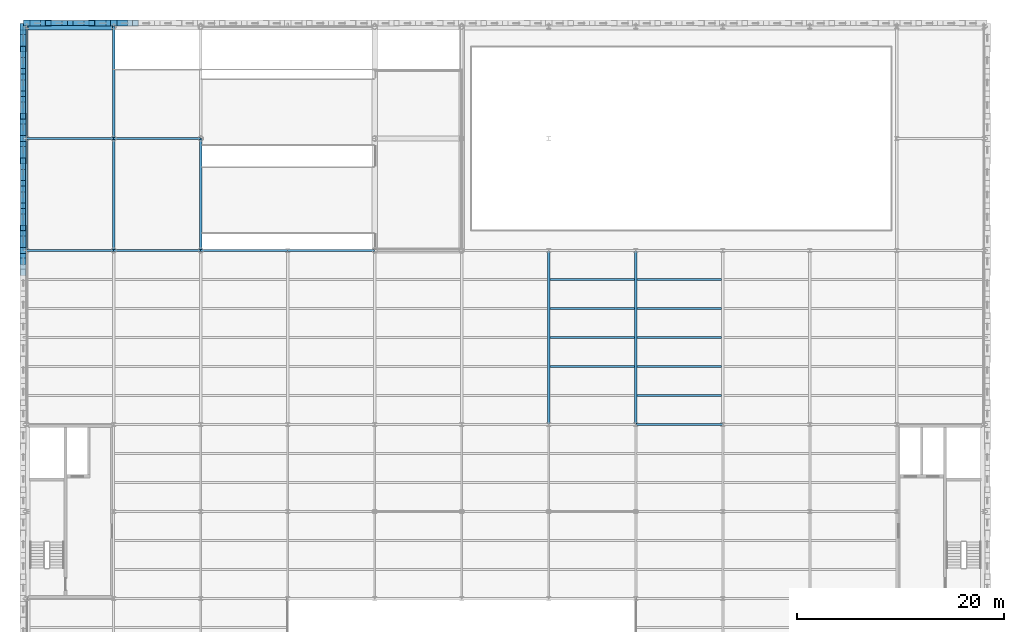
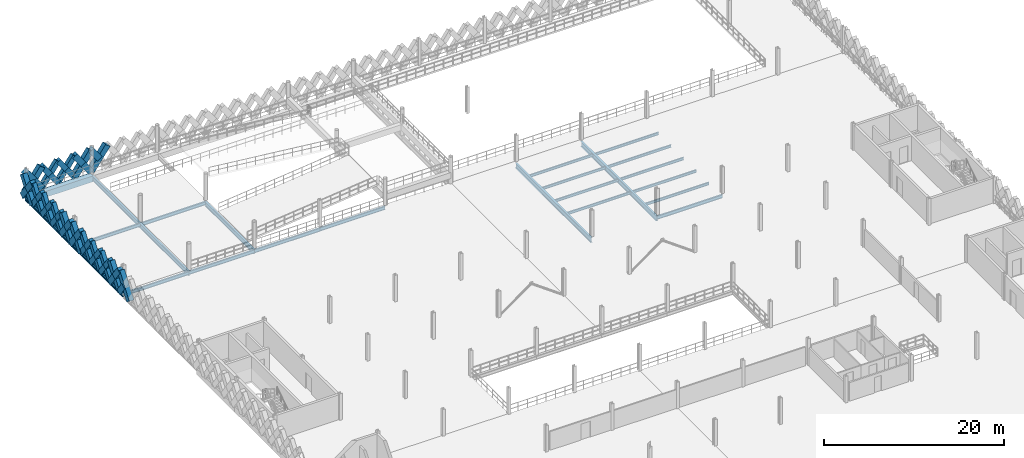
# One storey, part 24 of 62: 48 members, 24 beams.
"""IFC4 building model written with IfcOpenShell, lengths in metres."""

from ifc_helpers import new_model, si_unit, direction, frame, origin, origin_2d, place, context, subcontext, project, spatial, rectangle, hollow_rectangle, i_section, extrude, material, material_profile, profile_set, type_object, element, save


model = new_model("IFC4")

# Units and contexts
model_context = context("Model", 3, precision=1e-05, world=origin(), true_north=direction((0.0, 1.0)))
body_context = subcontext(model_context, "Body", "Model", "MODEL_VIEW")
ifc_project = project(units=[si_unit("LENGTHUNIT", "METRE"), si_unit("AREAUNIT", "SQUARE_METRE"), si_unit("VOLUMEUNIT", "CUBIC_METRE"), si_unit("PLANEANGLEUNIT", "RADIAN"), si_unit("MASSUNIT", "GRAM", prefix="KILO"), si_unit("THERMODYNAMICTEMPERATUREUNIT", "KELVIN"), si_unit("POWERUNIT", "WATT")], contexts=[model_context])

# Site, building, storey
site_placement = place(None, origin())
site = spatial("IfcSite", under=ifc_project, at=site_placement, CompositionType="ELEMENT")
building_placement = place(site_placement, origin())
building = spatial("IfcBuilding", under=site, at=building_placement, Name="Tembeka Court Mobility Hub", CompositionType="ELEMENT")
storey_placement = place(building_placement, frame((0.0, 0.0, 16.199951171875)))
storey = spatial("IfcBuildingStorey", under=building, at=storey_placement, Name="L04", CompositionType="ELEMENT", Elevation=16.199951171875)

# Beams
ifc_material_1 = material(Name="Steel S355", Category="steel")
ifc_material_profile_1 = material_profile(ifc_material_1, i_section(OverallWidth=0.18994140625, OverallDepth=0.45703125, WebThickness=0.009033203125, FlangeThickness=0.014404296875, FilletRadius=0.01025390625, at=origin_2d()), Name="UKB 457x191x74")
ifc_profile_set_1 = profile_set([ifc_material_profile_1], Name="Steel S355")
beam_type_1 = type_object("IfcBeamType", Name="BM-B01", PredefinedType="BEAM", material=ifc_profile_set_1)
for number, where, z_axis, x_axis, name in (
    (1, (58.800048828125, 80.39990234375, -0.448486328125), (1.0, 0.0, 0.0), (0.0, 1.0, 0.0), "Beam B01 (BM-L04-X2285)"),
    (2, (0.0, 97.199951171875, -0.478515625), (1.0, 0.0, 0.0), (0.0, 1.0, 0.0), "Beam B01 (BM-L04-X2289)"),
):
    element("IfcBeam", number, at=place(storey_placement, frame(where, z_axis=z_axis, x_axis=x_axis)), inside=storey, type_object=beam_type_1, Name=name, PredefinedType="BEAM", context=body_context, shape_type="SweptSolid", body=[
        extrude(i_section(OverallWidth=0.18994140625, OverallDepth=0.45703125, WebThickness=0.009033203125, FlangeThickness=0.014404296875, FilletRadius=0.01025390625, at=origin_2d()), origin(), (0.0, 0.0, 1.0), 8.39990234375),
    ])
beam_1_placement = place(storey_placement, frame((8.39990234375, 97.199951171875, -0.478515625), z_axis=(1.0, 0.0, 0.0), x_axis=(0.0, 1.0, 0.0)))
element("IfcBeam", 3, at=beam_1_placement, inside=storey, type_object=beam_type_1, Name="Beam B01 (BM-L04-X2290)", PredefinedType="BEAM", context=body_context, shape_type="SweptSolid", body=[
    extrude(i_section(OverallWidth=0.18994140625, OverallDepth=0.45703125, WebThickness=0.009033203125, FlangeThickness=0.014404296875, FilletRadius=0.01025390625, at=origin_2d()), origin(), (0.0, 0.0, 1.0), 8.400146484375),
])
beam_2_placement = place(storey_placement, frame((16.800048828125, 97.199951171875, -0.478515625), z_axis=(1.0, 0.0, 0.0), x_axis=(0.0, 1.0, 0.0)))
element("IfcBeam", 4, at=beam_2_placement, inside=storey, type_object=beam_type_1, Name="Beam B01 (BM-L04-X2291)", PredefinedType="BEAM", context=body_context, shape_type="SweptSolid", body=[
    extrude(i_section(OverallWidth=0.18994140625, OverallDepth=0.45703125, WebThickness=0.009033203125, FlangeThickness=0.014404296875, FilletRadius=0.01025390625, at=origin_2d()), origin(), (0.0, 0.0, 1.0), 8.39990234375),
])
beam_3_placement = place(storey_placement, frame((25.199951171875, 97.199951171875, -0.448486328125), z_axis=(1.0, 0.0, 0.0), x_axis=(0.0, 1.0, 0.0)))
element("IfcBeam", 5, at=beam_3_placement, inside=storey, type_object=beam_type_1, Name="Beam B01 (BM-L04-X2292)", PredefinedType="BEAM", context=body_context, shape_type="SweptSolid", body=[
    extrude(i_section(OverallWidth=0.18994140625, OverallDepth=0.45703125, WebThickness=0.009033203125, FlangeThickness=0.014404296875, FilletRadius=0.01025390625, at=origin_2d()), origin(), (0.0, 0.0, 1.0), 8.400146484375),
])
beam_4_placement = place(storey_placement, frame((0.0, 108.0, -0.478515625), z_axis=(1.0, 0.0, 0.0), x_axis=(0.0, 1.0, 0.0)))
element("IfcBeam", 6, at=beam_4_placement, inside=storey, type_object=beam_type_1, Name="Beam B01 (BM-L04-X2300)", PredefinedType="BEAM", context=body_context, shape_type="SweptSolid", body=[
    extrude(i_section(OverallWidth=0.18994140625, OverallDepth=0.45703125, WebThickness=0.009033203125, FlangeThickness=0.014404296875, FilletRadius=0.01025390625, at=origin_2d()), origin(), (0.0, 0.0, 1.0), 8.39990234375),
])
beam_5_placement = place(storey_placement, frame((8.39990234375, 108.0, -0.478515625), z_axis=(1.0, 0.0, 0.0), x_axis=(0.0, 1.0, 0.0)))
element("IfcBeam", 7, at=beam_5_placement, inside=storey, type_object=beam_type_1, Name="Beam B01 (BM-L04-X2301)", PredefinedType="BEAM", context=body_context, shape_type="SweptSolid", body=[
    extrude(i_section(OverallWidth=0.18994140625, OverallDepth=0.45703125, WebThickness=0.009033203125, FlangeThickness=0.014404296875, FilletRadius=0.01025390625, at=origin_2d()), origin(), (0.0, 0.0, 1.0), 8.400146484375),
])
ifc_material_profile_2 = material_profile(ifc_material_1, i_section(OverallWidth=0.25390625, OverallDepth=0.68408203125, WebThickness=0.012451171875, FlangeThickness=0.01904296875, FilletRadius=0.01513671875, at=origin_2d()), Name="UKB 686x254x140")
ifc_profile_set_2 = profile_set([ifc_material_profile_2], Name="Steel S355")
beam_type_2 = type_object("IfcBeamType", Name="BM-G01", PredefinedType="USERDEFINED", material=ifc_profile_set_2)
for number, where, z_axis, x_axis, name in (
    (8, (50.39990234375, 80.39990234375, -0.56201171875), (0.0, 1.0, 0.0), (-1.0, 0.0, 0.0), "Beam G01 (BM-L04-Y2374)"),
    (9, (58.800048828125, 80.39990234375, -0.56201171875), (0.0, 1.0, 0.0), (-1.0, 0.0, 0.0), "Beam G01 (BM-L04-Y2381)"),
):
    element("IfcBeam", number, at=place(storey_placement, frame(where, z_axis=z_axis, x_axis=x_axis)), inside=storey, type_object=beam_type_2, Name=name, ObjectType="GIRDER", PredefinedType="USERDEFINED", context=body_context, shape_type="SweptSolid", body=[
        extrude(i_section(OverallWidth=0.25390625, OverallDepth=0.68408203125, WebThickness=0.012451171875, FlangeThickness=0.01904296875, FilletRadius=0.01513671875, at=origin_2d()), origin(), (0.0, 0.0, 1.0), 16.800048828125),
    ])
ifc_material_profile_3 = material_profile(ifc_material_1, i_section(OverallWidth=0.22900390625, OverallDepth=0.612060546875, WebThickness=0.011962890625, FlangeThickness=0.01953125, FilletRadius=0.0126953125, at=origin_2d()), Name="UKB 610x229x125")
ifc_profile_set_3 = profile_set([ifc_material_profile_3], Name="Steel S355")
beam_type_3 = type_object("IfcBeamType", Name="BM-G02", PredefinedType="USERDEFINED", material=ifc_profile_set_3)
for number, where, z_axis, x_axis, name in (
    (10, (0.0, 97.199951171875, -0.52587890625), (0.0, 1.0, 0.0), (-1.0, 0.0, 0.0), "Beam G02 (BM-L04-Y2322)"),
    (11, (0.0, 108.0, -0.52587890625), (0.0, 1.0, 0.0), (-1.0, 0.0, 0.0), "Beam G02 (BM-L04-Y2323)"),
    (12, (8.39990234375, 97.199951171875, -0.555908203125), (0.0, 1.0, 0.0), (-1.0, 0.0, 0.0), "Beam G02 (BM-L04-Y2333)"),
    (13, (8.39990234375, 108.0, -0.555908203125), (0.0, 1.0, 0.0), (-1.0, 0.0, 0.0), "Beam G02 (BM-L04-Y2334)"),
    (14, (16.800048828125, 97.199951171875, -0.555908203125), (0.0, 1.0, 0.0), (-1.0, 0.0, 0.0), "Beam G02 (BM-L04-Y2344)"),
):
    element("IfcBeam", number, at=place(storey_placement, frame(where, z_axis=z_axis, x_axis=x_axis)), inside=storey, type_object=beam_type_3, Name=name, ObjectType="GIRDER", PredefinedType="USERDEFINED", context=body_context, shape_type="SweptSolid", body=[
        extrude(i_section(OverallWidth=0.22900390625, OverallDepth=0.612060546875, WebThickness=0.011962890625, FlangeThickness=0.01953125, FilletRadius=0.0126953125, at=origin_2d()), origin(), (0.0, 0.0, 1.0), 10.800048828125),
    ])
ifc_material_profile_4 = material_profile(ifc_material_1, i_section(OverallWidth=0.172119140625, OverallDepth=0.35498046875, WebThickness=0.00732421875, FlangeThickness=0.011474609375, FilletRadius=0.01025390625, at=origin_2d()), Name="UKB 356x171x51")
ifc_profile_set_4 = profile_set([ifc_material_profile_4], Name="Steel S355")
beam_type_4 = type_object("IfcBeamType", Name="BM-J01", PredefinedType="JOIST", material=ifc_profile_set_4)
for number, where, z_axis, x_axis, name in (
    (15, (50.52197265625, 86.0, -0.3974609375), (1.0, 0.0, 0.0), (0.0, 1.0, 0.0), "Beam J01 (JST-L04-2558)"),
    (16, (50.52197265625, 88.800048828125, -0.3974609375), (1.0, 0.0, 0.0), (0.0, 1.0, 0.0), "Beam J01 (JST-L04-2559)"),
    (17, (50.52197265625, 91.60009765625, -0.3974609375), (1.0, 0.0, 0.0), (0.0, 1.0, 0.0), "Beam J01 (JST-L04-2560)"),
    (18, (50.52197265625, 94.39990234375, -0.3974609375), (1.0, 0.0, 0.0), (0.0, 1.0, 0.0), "Beam J01 (JST-L04-2561)"),
):
    element("IfcBeam", number, at=place(storey_placement, frame(where, z_axis=z_axis, x_axis=x_axis)), inside=storey, type_object=beam_type_4, Name=name, PredefinedType="JOIST", context=body_context, shape_type="SweptSolid", body=[
        extrude(i_section(OverallWidth=0.172119140625, OverallDepth=0.35498046875, WebThickness=0.00732421875, FlangeThickness=0.011474609375, FilletRadius=0.01025390625, at=origin_2d()), origin(), (0.0, 0.0, 1.0), 8.156005859375),
    ])
for number, where, z_axis, x_axis, name in (
    (19, (58.922119140625, 83.199951171875, -0.3974609375), (1.0, 0.0, 0.0), (0.0, 1.0, 0.0), "Beam J01 (JST-L04-2577)"),
    (20, (58.922119140625, 86.0, -0.3974609375), (1.0, 0.0, 0.0), (0.0, 1.0, 0.0), "Beam J01 (JST-L04-2578)"),
    (21, (58.922119140625, 88.800048828125, -0.3974609375), (1.0, 0.0, 0.0), (0.0, 1.0, 0.0), "Beam J01 (JST-L04-2579)"),
    (22, (58.922119140625, 91.60009765625, -0.3974609375), (1.0, 0.0, 0.0), (0.0, 1.0, 0.0), "Beam J01 (JST-L04-2580)"),
    (23, (58.922119140625, 94.39990234375, -0.3974609375), (1.0, 0.0, 0.0), (0.0, 1.0, 0.0), "Beam J01 (JST-L04-2581)"),
):
    element("IfcBeam", number, at=place(storey_placement, frame(where, z_axis=z_axis, x_axis=x_axis)), inside=storey, type_object=beam_type_4, Name=name, PredefinedType="JOIST", context=body_context, shape_type="SweptSolid", body=[
        extrude(i_section(OverallWidth=0.172119140625, OverallDepth=0.35498046875, WebThickness=0.00732421875, FlangeThickness=0.011474609375, FilletRadius=0.01025390625, at=origin_2d()), origin(), (0.0, 0.0, 1.0), 8.15576171875),
    ])
ifc_material_2 = material(Name="Precast concrete C45/55", Category="concrete")
ifc_material_profile_5 = material_profile(ifc_material_2, rectangle(XDim=0.64990234375, YDim=0.800048828125, at=origin_2d()), Name="PC-SP 650x800")
ifc_profile_set_5 = profile_set([ifc_material_profile_5], Name="Precast concrete C45/55")
beam_type_5 = type_object("IfcBeamType", Name="BM-SP01", PredefinedType="SPANDREL", material=ifc_profile_set_5)
beam_6_placement = place(storey_placement, frame((0.0, 118.800048828125, -0.619873046875), z_axis=(1.0, 0.0, 0.0), x_axis=(0.0, 1.0, 0.0)))
element("IfcBeam", 24, at=beam_6_placement, inside=storey, type_object=beam_type_5, Name="Beam SP01 (BM-L04-X2303)", PredefinedType="SPANDREL", context=body_context, shape_type="SweptSolid", body=[
    extrude(rectangle(XDim=0.64990234375, YDim=0.800048828125, at=origin_2d()), origin(), (0.0, 0.0, 1.0), 8.39990234375),
])

# Members
ifc_material_profile_6 = material_profile(ifc_material_2, rectangle(XDim=0.5, YDim=0.64990234375, at=origin_2d()), Name="PC-DIAG 500x650")
ifc_profile_set_6 = profile_set([ifc_material_profile_6], Name="Precast concrete C45/55")
member_type_1 = type_object("IfcMemberType", Name="MEM-DL01", PredefinedType="BRACE", material=ifc_profile_set_6)
member_1_placement = place(storey_placement, frame((2.10009765625, 119.139892578125, 0.02001953125), z_axis=(0.58253161945, 0.0, 0.812808041509), x_axis=(0.0, 1.0, 0.0)))
element("IfcMember", 25, at=member_1_placement, inside=storey, type_object=member_type_1, Name="Precast diamond lattice continuous strand DL01 (L04-634A)", PredefinedType="BRACE", context=body_context, shape_type="SweptSolid", body=[
    extrude(rectangle(XDim=0.5, YDim=0.64990234375, at=origin_2d()), origin(), (0.0, 0.0, 1.0), 3.604736328125),
])
member_2_placement = place(storey_placement, frame((4.199951171875, 119.139892578125, 0.02001953125), z_axis=(-0.582544294934, 0.0, 0.812798956963), x_axis=(0.0, -1.0, 0.0)))
element("IfcMember", 26, at=member_2_placement, inside=storey, type_object=member_type_1, Name="Precast diamond lattice split lower strand DL01 (L04-634B1)", PredefinedType="BRACE", context=body_context, shape_type="SweptSolid", body=[
    extrude(rectangle(XDim=0.5, YDim=0.64990234375, at=origin_2d()), origin(), (0.0, 0.0, 1.0), 1.802490234375),
])
member_3_placement = place(storey_placement, frame((3.14990234375, 119.139892578125, 1.485107421875), z_axis=(-0.582518941428, 0.0, 0.812817127574), x_axis=(0.0, -1.0, 0.0)))
element("IfcMember", 27, at=member_3_placement, inside=storey, type_object=member_type_1, Name="Precast diamond lattice split upper strand DL01 (L04-634B2)", PredefinedType="BRACE", context=body_context, shape_type="SweptSolid", body=[
    extrude(rectangle(XDim=0.5, YDim=0.64990234375, at=origin_2d()), origin(), (0.0, 0.0, 1.0), 1.80224609375),
])
member_4_placement = place(storey_placement, frame((4.199951171875, 119.139892578125, 0.02001953125), z_axis=(0.582576362011, 0.0, 0.812775973086), x_axis=(0.0, 1.0, 0.0)))
element("IfcMember", 28, at=member_4_placement, inside=storey, type_object=member_type_1, Name="Precast diamond lattice continuous strand DL01 (L04-635A)", PredefinedType="BRACE", context=body_context, shape_type="SweptSolid", body=[
    extrude(rectangle(XDim=0.5, YDim=0.64990234375, at=origin_2d()), origin(), (0.0, 0.0, 1.0), 3.604736328125),
])
member_5_placement = place(storey_placement, frame((6.300048828125, 119.139892578125, 0.02001953125), z_axis=(-0.582544294934, 0.0, 0.812798956963), x_axis=(0.0, -1.0, 0.0)))
element("IfcMember", 29, at=member_5_placement, inside=storey, type_object=member_type_1, Name="Precast diamond lattice split lower strand DL01 (L04-635B1)", PredefinedType="BRACE", context=body_context, shape_type="SweptSolid", body=[
    extrude(rectangle(XDim=0.5, YDim=0.64990234375, at=origin_2d()), origin(), (0.0, 0.0, 1.0), 1.802490234375),
])
member_6_placement = place(storey_placement, frame((5.25, 119.139892578125, 1.485107421875), z_axis=(-0.582608431711, 0.0, 0.812752985414), x_axis=(0.0, -1.0, 0.0)))
element("IfcMember", 30, at=member_6_placement, inside=storey, type_object=member_type_1, Name="Precast diamond lattice split upper strand DL01 (L04-635B2)", PredefinedType="BRACE", context=body_context, shape_type="SweptSolid", body=[
    extrude(rectangle(XDim=0.5, YDim=0.64990234375, at=origin_2d()), origin(), (0.0, 0.0, 1.0), 1.80224609375),
])
member_7_placement = place(storey_placement, frame((-0.340087890625, 99.360107421875, 0.02001953125), z_axis=(0.0, 0.593379766398, 0.804922637792), x_axis=(-1.0, 0.0, 0.0)))
element("IfcMember", 31, at=member_7_placement, inside=storey, type_object=member_type_1, Name="Precast diamond lattice continuous strand DL01 (L04-724C)", PredefinedType="BRACE", context=body_context, shape_type="SweptSolid", body=[
    extrude(rectangle(XDim=0.5, YDim=0.64990234375, at=origin_2d()), origin(), (0.0, 0.0, 1.0), 3.64013671875),
])
member_8_placement = place(storey_placement, frame((-0.340087890625, 101.52001953125, 0.02001953125), z_axis=(0.0, -0.593391185876, 0.804914219358), x_axis=(1.0, 0.0, 0.0)))
element("IfcMember", 32, at=member_8_placement, inside=storey, type_object=member_type_1, Name="Precast diamond lattice split lower strand DL01 (L04-724D1)", PredefinedType="BRACE", context=body_context, shape_type="SweptSolid", body=[
    extrude(rectangle(XDim=0.5, YDim=0.64990234375, at=origin_2d()), origin(), (0.0, 0.0, 1.0), 1.820068359375),
])
member_9_placement = place(storey_placement, frame((-0.340087890625, 100.43994140625, 1.485107421875), z_axis=(0.0, -0.593368344659, 0.804931057642), x_axis=(1.0, 0.0, 0.0)))
element("IfcMember", 33, at=member_9_placement, inside=storey, type_object=member_type_1, Name="Precast diamond lattice split upper strand DL01 (L04-724D2)", PredefinedType="BRACE", context=body_context, shape_type="SweptSolid", body=[
    extrude(rectangle(XDim=0.5, YDim=0.64990234375, at=origin_2d()), origin(), (0.0, 0.0, 1.0), 1.81982421875),
])
member_10_placement = place(storey_placement, frame((-0.340087890625, 101.52001953125, 0.02001953125), z_axis=(0.0, 0.593379766398, 0.804922637792), x_axis=(-1.0, 0.0, 0.0)))
element("IfcMember", 34, at=member_10_placement, inside=storey, type_object=member_type_1, Name="Precast diamond lattice continuous strand DL01 (L04-725C)", PredefinedType="BRACE", context=body_context, shape_type="SweptSolid", body=[
    extrude(rectangle(XDim=0.5, YDim=0.64990234375, at=origin_2d()), origin(), (0.0, 0.0, 1.0), 3.64013671875),
])
for number, where, z_axis, x_axis, name in (
    (35, (-0.340087890625, 103.679931640625, 0.02001953125), (0.0, -0.593304274421, 0.804978284151), (1.0, 0.0, 0.0), "Precast diamond lattice split lower strand DL01 (L04-725D1)"),
    (36, (-0.340087890625, 102.60009765625, 1.485107421875), (0.0, -0.593455255298, 0.804866982773), (1.0, 0.0, 0.0), "Precast diamond lattice split upper strand DL01 (L04-725D2)"),
):
    element("IfcMember", number, at=place(storey_placement, frame(where, z_axis=z_axis, x_axis=x_axis)), inside=storey, type_object=member_type_1, Name=name, PredefinedType="BRACE", context=body_context, shape_type="SweptSolid", body=[
        extrude(rectangle(XDim=0.5, YDim=0.64990234375, at=origin_2d()), origin(), (0.0, 0.0, 1.0), 1.820068359375),
    ])
member_11_placement = place(storey_placement, frame((-0.340087890625, 103.679931640625, 0.02001953125), z_axis=(0.0, 0.593423219328, 0.804890602978), x_axis=(-1.0, 0.0, 0.0)))
element("IfcMember", 37, at=member_11_placement, inside=storey, type_object=member_type_1, Name="Precast diamond lattice continuous strand DL01 (L04-726C)", PredefinedType="BRACE", context=body_context, shape_type="SweptSolid", body=[
    extrude(rectangle(XDim=0.5, YDim=0.64990234375, at=origin_2d()), origin(), (0.0, 0.0, 1.0), 3.64013671875),
])
for number, where, z_axis, x_axis, name in (
    (38, (-0.340087890625, 105.840087890625, 0.02001953125), (0.0, -0.593391185876, 0.804914219358), (1.0, 0.0, 0.0), "Precast diamond lattice split lower strand DL01 (L04-726D1)"),
    (39, (-0.340087890625, 104.760009765625, 1.485107421875), (0.0, -0.593455255298, 0.804866982773), (1.0, 0.0, 0.0), "Precast diamond lattice split upper strand DL01 (L04-726D2)"),
):
    element("IfcMember", number, at=place(storey_placement, frame(where, z_axis=z_axis, x_axis=x_axis)), inside=storey, type_object=member_type_1, Name=name, PredefinedType="BRACE", context=body_context, shape_type="SweptSolid", body=[
        extrude(rectangle(XDim=0.5, YDim=0.64990234375, at=origin_2d()), origin(), (0.0, 0.0, 1.0), 1.820068359375),
    ])
member_12_placement = place(storey_placement, frame((-0.340087890625, 110.159912109375, 0.02001953125), z_axis=(0.0, 0.593423219328, 0.804890602978), x_axis=(-1.0, 0.0, 0.0)))
element("IfcMember", 40, at=member_12_placement, inside=storey, type_object=member_type_1, Name="Precast diamond lattice continuous strand DL01 (L04-729C)", PredefinedType="BRACE", context=body_context, shape_type="SweptSolid", body=[
    extrude(rectangle(XDim=0.5, YDim=0.64990234375, at=origin_2d()), origin(), (0.0, 0.0, 1.0), 3.64013671875),
])
for number, where, z_axis, x_axis, name in (
    (41, (-0.340087890625, 112.320068359375, 0.02001953125), (0.0, -0.593391185876, 0.804914219358), (1.0, 0.0, 0.0), "Precast diamond lattice split lower strand DL01 (L04-729D1)"),
    (42, (-0.340087890625, 111.239990234375, 1.485107421875), (0.0, -0.593455255298, 0.804866982773), (1.0, 0.0, 0.0), "Precast diamond lattice split upper strand DL01 (L04-729D2)"),
):
    element("IfcMember", number, at=place(storey_placement, frame(where, z_axis=z_axis, x_axis=x_axis)), inside=storey, type_object=member_type_1, Name=name, PredefinedType="BRACE", context=body_context, shape_type="SweptSolid", body=[
        extrude(rectangle(XDim=0.5, YDim=0.64990234375, at=origin_2d()), origin(), (0.0, 0.0, 1.0), 1.820068359375),
    ])
member_13_placement = place(storey_placement, frame((-0.340087890625, 112.320068359375, 0.02001953125), z_axis=(0.0, 0.593379766398, 0.804922637792), x_axis=(-1.0, 0.0, 0.0)))
element("IfcMember", 43, at=member_13_placement, inside=storey, type_object=member_type_1, Name="Precast diamond lattice continuous strand DL01 (L04-730C)", PredefinedType="BRACE", context=body_context, shape_type="SweptSolid", body=[
    extrude(rectangle(XDim=0.5, YDim=0.64990234375, at=origin_2d()), origin(), (0.0, 0.0, 1.0), 3.64013671875),
])
member_14_placement = place(storey_placement, frame((-0.340087890625, 114.47998046875, 0.02001953125), z_axis=(0.0, -0.593391185876, 0.804914219358), x_axis=(1.0, 0.0, 0.0)))
element("IfcMember", 44, at=member_14_placement, inside=storey, type_object=member_type_1, Name="Precast diamond lattice split lower strand DL01 (L04-730D1)", PredefinedType="BRACE", context=body_context, shape_type="SweptSolid", body=[
    extrude(rectangle(XDim=0.5, YDim=0.64990234375, at=origin_2d()), origin(), (0.0, 0.0, 1.0), 1.820068359375),
])
member_15_placement = place(storey_placement, frame((-0.340087890625, 113.39990234375, 1.485107421875), z_axis=(0.0, -0.593368344659, 0.804931057642), x_axis=(1.0, 0.0, 0.0)))
element("IfcMember", 45, at=member_15_placement, inside=storey, type_object=member_type_1, Name="Precast diamond lattice split upper strand DL01 (L04-730D2)", PredefinedType="BRACE", context=body_context, shape_type="SweptSolid", body=[
    extrude(rectangle(XDim=0.5, YDim=0.64990234375, at=origin_2d()), origin(), (0.0, 0.0, 1.0), 1.81982421875),
])
member_16_placement = place(storey_placement, frame((-0.340087890625, 114.47998046875, 0.02001953125), z_axis=(0.0, 0.593379766398, 0.804922637792), x_axis=(-1.0, 0.0, 0.0)))
element("IfcMember", 46, at=member_16_placement, inside=storey, type_object=member_type_1, Name="Precast diamond lattice continuous strand DL01 (L04-731C)", PredefinedType="BRACE", context=body_context, shape_type="SweptSolid", body=[
    extrude(rectangle(XDim=0.5, YDim=0.64990234375, at=origin_2d()), origin(), (0.0, 0.0, 1.0), 3.64013671875),
])
for number, where, z_axis, x_axis, name in (
    (47, (-0.340087890625, 116.639892578125, 0.02001953125), (0.0, -0.593304274421, 0.804978284151), (1.0, 0.0, 0.0), "Precast diamond lattice split lower strand DL01 (L04-731D1)"),
    (48, (-0.340087890625, 115.56005859375, 1.485107421875), (0.0, -0.593455255298, 0.804866982773), (1.0, 0.0, 0.0), "Precast diamond lattice split upper strand DL01 (L04-731D2)"),
):
    element("IfcMember", number, at=place(storey_placement, frame(where, z_axis=z_axis, x_axis=x_axis)), inside=storey, type_object=member_type_1, Name=name, PredefinedType="BRACE", context=body_context, shape_type="SweptSolid", body=[
        extrude(rectangle(XDim=0.5, YDim=0.64990234375, at=origin_2d()), origin(), (0.0, 0.0, 1.0), 1.820068359375),
    ])
ifc_material_profile_7 = material_profile(ifc_material_2, rectangle(XDim=0.60009765625, YDim=0.75, at=origin_2d()), Name="PC-DIAG 600x750")
ifc_profile_set_7 = profile_set([ifc_material_profile_7], Name="Precast concrete C45/55")
member_type_2 = type_object("IfcMemberType", Name="MEM-DL02", PredefinedType="BRACE", material=ifc_profile_set_7)
member_17_placement = place(storey_placement, frame((0.0, 119.139892578125, 0.02001953125), z_axis=(0.582576362011, 0.0, 0.812775973086), x_axis=(0.0, 1.0, 0.0)))
element("IfcMember", 49, at=member_17_placement, inside=storey, type_object=member_type_2, Name="Precast diamond lattice continuous strand DL02 (L04-633A)", PredefinedType="BRACE", context=body_context, shape_type="SweptSolid", body=[
    extrude(rectangle(XDim=0.60009765625, YDim=0.75, at=origin_2d()), origin(), (0.0, 0.0, 1.0), 3.604736328125),
])
member_18_placement = place(storey_placement, frame((2.10009765625, 119.139892578125, 0.02001953125), z_axis=(-0.582544294934, 0.0, 0.812798956963), x_axis=(0.0, -1.0, 0.0)))
element("IfcMember", 50, at=member_18_placement, inside=storey, type_object=member_type_2, Name="Precast diamond lattice split lower strand DL02 (L04-633B1)", PredefinedType="BRACE", context=body_context, shape_type="SweptSolid", body=[
    extrude(rectangle(XDim=0.60009765625, YDim=0.75, at=origin_2d()), origin(), (0.0, 0.0, 1.0), 1.802490234375),
])
member_19_placement = place(storey_placement, frame((1.050048828125, 119.139892578125, 1.485107421875), z_axis=(-0.582608431711, 0.0, 0.812752985414), x_axis=(0.0, -1.0, 0.0)))
element("IfcMember", 51, at=member_19_placement, inside=storey, type_object=member_type_2, Name="Precast diamond lattice split upper strand DL02 (L04-633B2)", PredefinedType="BRACE", context=body_context, shape_type="SweptSolid", body=[
    extrude(rectangle(XDim=0.60009765625, YDim=0.75, at=origin_2d()), origin(), (0.0, 0.0, 1.0), 1.80224609375),
])
member_20_placement = place(storey_placement, frame((6.300048828125, 119.139892578125, 0.02001953125), z_axis=(0.58253161945, 0.0, 0.812808041509), x_axis=(0.0, 1.0, 0.0)))
element("IfcMember", 52, at=member_20_placement, inside=storey, type_object=member_type_2, Name="Precast diamond lattice continuous strand DL02 (L04-636A)", PredefinedType="BRACE", context=body_context, shape_type="SweptSolid", body=[
    extrude(rectangle(XDim=0.60009765625, YDim=0.75, at=origin_2d()), origin(), (0.0, 0.0, 1.0), 3.604736328125),
])
member_21_placement = place(storey_placement, frame((8.39990234375, 119.139892578125, 0.02001953125), z_axis=(-0.582454804382, 0.0, 0.812863088627), x_axis=(0.0, -1.0, 0.0)))
element("IfcMember", 53, at=member_21_placement, inside=storey, type_object=member_type_2, Name="Precast diamond lattice split lower strand DL02 (L04-636B1)", PredefinedType="BRACE", context=body_context, shape_type="SweptSolid", body=[
    extrude(rectangle(XDim=0.60009765625, YDim=0.75, at=origin_2d()), origin(), (0.0, 0.0, 1.0), 1.802490234375),
])
member_22_placement = place(storey_placement, frame((7.35009765625, 119.139892578125, 1.485107421875), z_axis=(-0.582608431711, 0.0, 0.812752985414), x_axis=(0.0, -1.0, 0.0)))
element("IfcMember", 54, at=member_22_placement, inside=storey, type_object=member_type_2, Name="Precast diamond lattice split upper strand DL02 (L04-636B2)", PredefinedType="BRACE", context=body_context, shape_type="SweptSolid", body=[
    extrude(rectangle(XDim=0.60009765625, YDim=0.75, at=origin_2d()), origin(), (0.0, 0.0, 1.0), 1.80224609375),
])
member_23_placement = place(storey_placement, frame((8.39990234375, 119.139892578125, 0.02001953125), z_axis=(0.582576362011, 0.0, 0.812775973086), x_axis=(0.0, 1.0, 0.0)))
element("IfcMember", 55, at=member_23_placement, inside=storey, type_object=member_type_2, Name="Precast diamond lattice continuous strand DL02 (L04-637A)", PredefinedType="BRACE", context=body_context, shape_type="SweptSolid", body=[
    extrude(rectangle(XDim=0.60009765625, YDim=0.75, at=origin_2d()), origin(), (0.0, 0.0, 1.0), 3.604736328125),
])
member_24_placement = place(storey_placement, frame((9.449951171875, 119.139892578125, 1.485107421875), z_axis=(-0.582608431711, 0.0, 0.812752985414), x_axis=(0.0, -1.0, 0.0)))
element("IfcMember", 56, at=member_24_placement, inside=storey, type_object=member_type_2, Name="Precast diamond lattice split upper strand DL02 (L04-637B2)", PredefinedType="BRACE", context=body_context, shape_type="SweptSolid", body=[
    extrude(rectangle(XDim=0.60009765625, YDim=0.75, at=origin_2d()), origin(), (0.0, 0.0, 1.0), 1.80224609375),
])
member_25_placement = place(storey_placement, frame((-0.340087890625, 95.10009765625, 0.02001953125), z_axis=(0.0, 0.58253161945, 0.812808041509), x_axis=(-1.0, 0.0, 0.0)))
element("IfcMember", 57, at=member_25_placement, inside=storey, type_object=member_type_2, Name="Precast diamond lattice continuous strand DL02 (L04-722C)", PredefinedType="BRACE", context=body_context, shape_type="SweptSolid", body=[
    extrude(rectangle(XDim=0.60009765625, YDim=0.75, at=origin_2d()), origin(), (0.0, 0.0, 1.0), 3.604736328125),
])
member_26_placement = place(storey_placement, frame((-0.340087890625, 97.199951171875, 0.02001953125), z_axis=(0.0, -0.582544294934, 0.812798956963), x_axis=(1.0, 0.0, 0.0)))
element("IfcMember", 58, at=member_26_placement, inside=storey, type_object=member_type_2, Name="Precast diamond lattice split lower strand DL02 (L04-722D1)", PredefinedType="BRACE", context=body_context, shape_type="SweptSolid", body=[
    extrude(rectangle(XDim=0.60009765625, YDim=0.75, at=origin_2d()), origin(), (0.0, 0.0, 1.0), 1.802490234375),
])
member_27_placement = place(storey_placement, frame((-0.340087890625, 97.199951171875, 0.02001953125), z_axis=(0.0, 0.593423219328, 0.804890602978), x_axis=(-1.0, 0.0, 0.0)))
element("IfcMember", 59, at=member_27_placement, inside=storey, type_object=member_type_2, Name="Precast diamond lattice continuous strand DL02 (L04-723C)", PredefinedType="BRACE", context=body_context, shape_type="SweptSolid", body=[
    extrude(rectangle(XDim=0.60009765625, YDim=0.75, at=origin_2d()), origin(), (0.0, 0.0, 1.0), 3.64013671875),
])
for number, where, z_axis, x_axis, name in (
    (60, (-0.340087890625, 99.360107421875, 0.02001953125), (0.0, -0.593391185876, 0.804914219358), (1.0, 0.0, 0.0), "Precast diamond lattice split lower strand DL02 (L04-723D1)"),
    (61, (-0.340087890625, 98.280029296875, 1.485107421875), (0.0, -0.593455255298, 0.804866982773), (1.0, 0.0, 0.0), "Precast diamond lattice split upper strand DL02 (L04-723D2)"),
):
    element("IfcMember", number, at=place(storey_placement, frame(where, z_axis=z_axis, x_axis=x_axis)), inside=storey, type_object=member_type_2, Name=name, PredefinedType="BRACE", context=body_context, shape_type="SweptSolid", body=[
        extrude(rectangle(XDim=0.60009765625, YDim=0.75, at=origin_2d()), origin(), (0.0, 0.0, 1.0), 1.820068359375),
    ])
member_28_placement = place(storey_placement, frame((-0.340087890625, 105.840087890625, 0.02001953125), z_axis=(0.0, 0.593379766398, 0.804922637792), x_axis=(-1.0, 0.0, 0.0)))
element("IfcMember", 62, at=member_28_placement, inside=storey, type_object=member_type_2, Name="Precast diamond lattice continuous strand DL02 (L04-727C)", PredefinedType="BRACE", context=body_context, shape_type="SweptSolid", body=[
    extrude(rectangle(XDim=0.60009765625, YDim=0.75, at=origin_2d()), origin(), (0.0, 0.0, 1.0), 3.64013671875),
])
member_29_placement = place(storey_placement, frame((-0.340087890625, 108.0, 0.02001953125), z_axis=(0.0, -0.593391185876, 0.804914219358), x_axis=(1.0, 0.0, 0.0)))
element("IfcMember", 63, at=member_29_placement, inside=storey, type_object=member_type_2, Name="Precast diamond lattice split lower strand DL02 (L04-727D1)", PredefinedType="BRACE", context=body_context, shape_type="SweptSolid", body=[
    extrude(rectangle(XDim=0.60009765625, YDim=0.75, at=origin_2d()), origin(), (0.0, 0.0, 1.0), 1.820068359375),
])
member_30_placement = place(storey_placement, frame((-0.340087890625, 106.919921875, 1.485107421875), z_axis=(0.0, -0.593368344659, 0.804931057642), x_axis=(1.0, 0.0, 0.0)))
element("IfcMember", 64, at=member_30_placement, inside=storey, type_object=member_type_2, Name="Precast diamond lattice split upper strand DL02 (L04-727D2)", PredefinedType="BRACE", context=body_context, shape_type="SweptSolid", body=[
    extrude(rectangle(XDim=0.60009765625, YDim=0.75, at=origin_2d()), origin(), (0.0, 0.0, 1.0), 1.81982421875),
])
member_31_placement = place(storey_placement, frame((-0.340087890625, 108.0, 0.02001953125), z_axis=(0.0, 0.593379766398, 0.804922637792), x_axis=(-1.0, 0.0, 0.0)))
element("IfcMember", 65, at=member_31_placement, inside=storey, type_object=member_type_2, Name="Precast diamond lattice continuous strand DL02 (L04-728C)", PredefinedType="BRACE", context=body_context, shape_type="SweptSolid", body=[
    extrude(rectangle(XDim=0.60009765625, YDim=0.75, at=origin_2d()), origin(), (0.0, 0.0, 1.0), 3.64013671875),
])
for number, where, z_axis, x_axis, name in (
    (66, (-0.340087890625, 110.159912109375, 0.02001953125), (0.0, -0.593304274421, 0.804978284151), (1.0, 0.0, 0.0), "Precast diamond lattice split lower strand DL02 (L04-728D1)"),
    (67, (-0.340087890625, 109.080078125, 1.485107421875), (0.0, -0.593455255298, 0.804866982773), (1.0, 0.0, 0.0), "Precast diamond lattice split upper strand DL02 (L04-728D2)"),
):
    element("IfcMember", number, at=place(storey_placement, frame(where, z_axis=z_axis, x_axis=x_axis)), inside=storey, type_object=member_type_2, Name=name, PredefinedType="BRACE", context=body_context, shape_type="SweptSolid", body=[
        extrude(rectangle(XDim=0.60009765625, YDim=0.75, at=origin_2d()), origin(), (0.0, 0.0, 1.0), 1.820068359375),
    ])
member_32_placement = place(storey_placement, frame((-0.340087890625, 116.639892578125, 0.02001953125), z_axis=(0.0, 0.593423219328, 0.804890602978), x_axis=(-1.0, 0.0, 0.0)))
element("IfcMember", 68, at=member_32_placement, inside=storey, type_object=member_type_2, Name="Precast diamond lattice continuous strand DL02 (L04-732C)", PredefinedType="BRACE", context=body_context, shape_type="SweptSolid", body=[
    extrude(rectangle(XDim=0.60009765625, YDim=0.75, at=origin_2d()), origin(), (0.0, 0.0, 1.0), 3.64013671875),
])
for number, where, z_axis, x_axis, name in (
    (69, (-0.340087890625, 118.800048828125, 0.02001953125), (0.0, -0.593391185876, 0.804914219358), (1.0, 0.0, 0.0), "Precast diamond lattice split lower strand DL02 (L04-732D1)"),
    (70, (-0.340087890625, 117.719970703125, 1.485107421875), (0.0, -0.593455255298, 0.804866982773), (1.0, 0.0, 0.0), "Precast diamond lattice split upper strand DL02 (L04-732D2)"),
):
    element("IfcMember", number, at=place(storey_placement, frame(where, z_axis=z_axis, x_axis=x_axis)), inside=storey, type_object=member_type_2, Name=name, PredefinedType="BRACE", context=body_context, shape_type="SweptSolid", body=[
        extrude(rectangle(XDim=0.60009765625, YDim=0.75, at=origin_2d()), origin(), (0.0, 0.0, 1.0), 1.820068359375),
    ])
ifc_material_profile_8 = material_profile(ifc_material_1, hollow_rectangle(XDim=0.14990234375, YDim=0.300048828125, WallThickness=0.010009765625, at=origin_2d()), Name="RHS 300x150x10")
ifc_profile_set_8 = profile_set([ifc_material_profile_8], Name="Steel S355")
member_type_3 = type_object("IfcMemberType", Name="MEM-ST03", PredefinedType="STRUT", material=ifc_profile_set_8)
for number, where, z_axis, x_axis, name in (
    (71, (-0.340087890625, 97.199951171875, 0.02001953125), (0.0, 1.0, 0.0), (-1.0, 0.0, 0.0), "Proud lattice sill tie chord SR03 (L04-W-97)"),
    (72, (-0.340087890625, 108.0, 0.02001953125), (0.0, 1.0, 0.0), (-1.0, 0.0, 0.0), "Proud lattice sill tie chord SR03 (L04-W-108)"),
):
    element("IfcMember", number, at=place(storey_placement, frame(where, z_axis=z_axis, x_axis=x_axis)), inside=storey, type_object=member_type_3, Name=name, PredefinedType="STRUT", context=body_context, shape_type="SweptSolid", body=[
        extrude(hollow_rectangle(XDim=0.14990234375, YDim=0.300048828125, WallThickness=0.010009765625, at=origin_2d()), origin(), (0.0, 0.0, 1.0), 10.800048828125),
    ])

save(model, "model.ifc")
